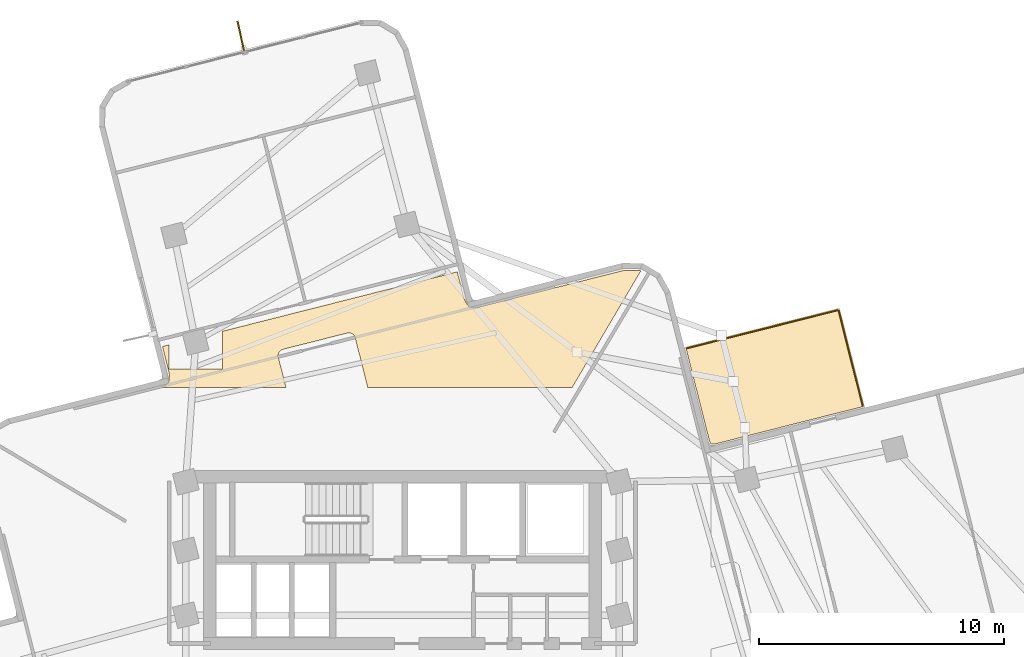
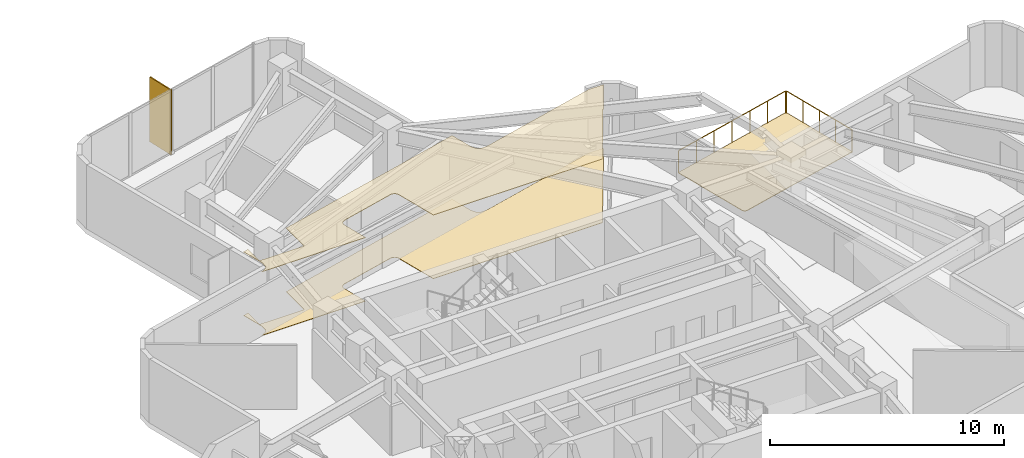
# One storey, part 11 of 11: 3 coverings, 2 railings, 1 shading device.
"""IFC4 building model written with IfcOpenShell, lengths in metres."""

from ifc_helpers import new_model, si_unit, direction, frame, origin, origin_2d, place, context, subcontext, project, spatial, polyline, rectangle, circle, outline, extrude, material, layer, layer_set, type_object, element, save


model = new_model("IFC4")

# Units and contexts
model_context = context("Model", 3, precision=1e-05, world=origin(), true_north=direction((0.0, 1.0)))
body_context = subcontext(model_context, "Body", "Model", "MODEL_VIEW")
ifc_project = project(units=[si_unit("LENGTHUNIT", "METRE"), si_unit("AREAUNIT", "SQUARE_METRE"), si_unit("VOLUMEUNIT", "CUBIC_METRE"), si_unit("PLANEANGLEUNIT", "RADIAN"), si_unit("MASSUNIT", "GRAM", prefix="KILO")], contexts=[model_context])

# Site, building, storey
site_placement = place(None, origin())
site = spatial("IfcSite", under=ifc_project, at=site_placement, CompositionType="ELEMENT")
building_placement = place(site_placement, origin())
building = spatial("IfcBuilding", under=site, at=building_placement, Name="Solmarez Civic Tower", CompositionType="ELEMENT")
storey_placement = place(building_placement, frame((0.0, 0.0, 127.080078125)))
storey = spatial("IfcBuildingStorey", under=building, at=storey_placement, Name="L33", CompositionType="ELEMENT", Elevation=127.080078125)

# Coverings
ifc_material_1 = material(Name="Perforated Mineral-Fibre Acoustic Ceiling")
ifc_layer_1 = layer(ifc_material_1, 0.02490234375)
ifc_layer_set_1 = layer_set([ifc_layer_1], Name="Perforated Mineral-Fibre Acoustic Ceiling")
covering_type_1 = type_object("IfcCoveringType", Name="COV-CEIL-ACOUSTIC", PredefinedType="CEILING", material=ifc_layer_set_1)
covering_1_placement = place(storey_placement, frame((0.0, 0.0, 3.31494140625)))
element("IfcCovering", 1, at=covering_1_placement, inside=storey, type_object=covering_type_1, Name="L33 Suspended Acoustic Ceiling 3", PredefinedType="CEILING", context=body_context, shape_type="SweptSolid", body=[
    extrude(outline(polyline([(-9.803955078125, 13.87890625), (-9.533935546875, 12.81201171875), (-9.530029296875, 12.79296875), (-9.527099609375, 12.77197265625), (-9.527099609375, 12.762939453125), (-9.52490234375, 12.7529296875), (-9.52490234375, 12.735107421875), (-9.528076171875, 12.56494140625), (-9.528076171875, 12.55908203125), (-9.530029296875, 12.531982421875), (-9.531005859375, 12.52392578125), (-9.532958984375, 12.507080078125), (-9.537109375, 12.490966796875), (-9.5390625, 12.48388671875), (-9.549072265625, 12.45703125), (-9.552001953125, 12.449951171875), (-9.554931640625, 12.443115234375), (-9.56396484375, 12.425048828125), (-9.573974609375, 12.407958984375), (-9.577880859375, 12.402099609375), (-9.58203125, 12.39599609375), (-9.5869140625, 12.388916015625), (-9.597900390625, 12.375), (-9.610107421875, 12.361083984375), (-9.614990234375, 12.35595703125), (-9.6201171875, 12.35107421875), (-9.635009765625, 12.337890625), (-9.64111328125, 12.3330078125), (-9.656982421875, 12.321044921875), (-9.673095703125, 12.31103515625), (-9.681884765625, 12.305908203125), (-9.83203125, 12.221923828125), (-9.841064453125, 12.217041015625), (-9.846923828125, 12.214111328125), (-9.85791015625, 12.208984375), (-9.864990234375, 12.2060546875), (-9.881103515625, 12.199951171875), (-4.758056640625, 12.199951171875), (-5.070068359375, 13.43701171875), (-5.072021484375, 13.443115234375), (-5.073974609375, 13.451904296875), (-5.077880859375, 13.47607421875), (-5.0791015625, 13.5), (-5.0791015625, 13.5048828125), (-5.077880859375, 13.527099609375), (-5.076904296875, 13.531982421875), (-5.076904296875, 13.5380859375), (-5.072998046875, 13.56103515625), (-5.06689453125, 13.5830078125), (-5.05908203125, 13.60400390625), (-5.055908203125, 13.611083984375), (-5.0458984375, 13.633056640625), (-5.033935546875, 13.653076171875), (-5.01904296875, 13.672119140625), (-5.012939453125, 13.678955078125), (-5.001953125, 13.69189453125), (-4.9951171875, 13.698974609375), (-4.970947265625, 13.718994140625), (-4.967041015625, 13.721923828125), (-4.946044921875, 13.736083984375), (-4.924072265625, 13.7470703125), (-4.9150390625, 13.7509765625), (-4.89306640625, 13.760009765625), (-4.875, 13.763916015625), (-2.258056640625, 14.426025390625), (-2.2470703125, 14.428955078125), (-2.241943359375, 14.429931640625), (-2.222900390625, 14.43310546875), (-2.214111328125, 14.43408203125), (-2.19091796875, 14.43505859375), (-2.16796875, 14.43408203125), (-2.157958984375, 14.43310546875), (-2.135009765625, 14.428955078125), (-2.112060546875, 14.423095703125), (-2.091064453125, 14.4150390625), (-2.083984375, 14.412109375), (-2.06201171875, 14.402099609375), (-2.0419921875, 14.389892578125), (-2.02294921875, 14.375), (-2.01708984375, 14.3701171875), (-2.007080078125, 14.362060546875), (-1.991943359375, 14.346923828125), (-1.97900390625, 14.3310546875), (-1.972900390625, 14.322998046875), (-1.958984375, 14.302001953125), (-1.947998046875, 14.280029296875), (-1.944091796875, 14.27099609375), (-1.93505859375, 14.2490234375), (-1.930908203125, 14.23095703125), (-1.4169921875, 12.199951171875), (6.927001953125, 12.199951171875), (9.735107421875, 16.968017578125), (9.72900390625, 16.971923828125), (9.02099609375, 16.98193359375), (3.1259765625, 15.489990234375), (3.10791015625, 15.486083984375), (3.10205078125, 15.485107421875), (3.096923828125, 15.48388671875), (3.090087890625, 15.48291015625), (3.05908203125, 15.48095703125), (3.049072265625, 15.48095703125), (2.876953125, 15.48291015625), (2.85302734375, 15.485107421875), (2.841064453125, 15.486083984375), (2.833984375, 15.487060546875), (2.81201171875, 15.491943359375), (2.803955078125, 15.493896484375), (2.787109375, 15.4990234375), (2.77001953125, 15.5048828125), (2.762939453125, 15.508056640625), (2.756103515625, 15.510986328125), (2.738037109375, 15.52001953125), (2.720947265625, 15.530029296875), (2.7041015625, 15.5400390625), (2.68896484375, 15.552001953125), (2.674072265625, 15.56494140625), (2.6689453125, 15.570068359375), (2.656005859375, 15.5849609375), (2.65087890625, 15.591064453125), (2.64599609375, 15.596923828125), (2.632080078125, 15.615966796875), (2.6279296875, 15.6220703125), (2.618896484375, 15.636962890625), (2.534912109375, 15.7880859375), (2.530029296875, 15.797119140625), (2.527099609375, 15.802978515625), (2.52392578125, 15.80908203125), (2.51611328125, 15.826904296875), (2.509033203125, 15.846923828125), (2.507080078125, 15.85400390625), (2.506103515625, 15.860107421875), (2.237060546875, 16.926025390625), (-7.344970703125, 14.5009765625), (-7.344970703125, 12.964111328125), (-9.544921875, 12.964111328125), (-9.544921875, 13.944091796875), (-9.803955078125, 13.87890625)])), origin(), (0.0, 0.0, 1.0), 0.02490234375),
])
ifc_material_2 = material(Name="Polished Tropical Stone Terrazzo Flooring", Category="masonry")
ifc_layer_2 = layer(ifc_material_2, 0.02001953125)
ifc_layer_set_2 = layer_set([ifc_layer_2], Name="Polished Tropical Stone Terrazzo Flooring")
covering_type_2 = type_object("IfcCoveringType", Name="COV-FLOOR-TERRAZZO", PredefinedType="FLOORING", material=ifc_layer_set_2)
covering_2_placement = place(storey_placement, origin())
element("IfcCovering", 2, at=covering_2_placement, inside=storey, type_object=covering_type_2, Name="L33 Terrazzo Floor Finish 3", PredefinedType="FLOORING", context=body_context, shape_type="SweptSolid", body=[
    extrude(outline(polyline([(-9.803955078125, 13.87890625), (-9.533935546875, 12.81201171875), (-9.530029296875, 12.79296875), (-9.527099609375, 12.77197265625), (-9.527099609375, 12.762939453125), (-9.52490234375, 12.7529296875), (-9.52490234375, 12.735107421875), (-9.528076171875, 12.56494140625), (-9.528076171875, 12.55908203125), (-9.530029296875, 12.531982421875), (-9.531005859375, 12.52392578125), (-9.532958984375, 12.507080078125), (-9.537109375, 12.490966796875), (-9.5390625, 12.48388671875), (-9.549072265625, 12.45703125), (-9.552001953125, 12.449951171875), (-9.554931640625, 12.443115234375), (-9.56396484375, 12.425048828125), (-9.573974609375, 12.407958984375), (-9.577880859375, 12.402099609375), (-9.58203125, 12.39599609375), (-9.5869140625, 12.388916015625), (-9.597900390625, 12.375), (-9.610107421875, 12.361083984375), (-9.614990234375, 12.35595703125), (-9.6201171875, 12.35107421875), (-9.635009765625, 12.337890625), (-9.64111328125, 12.3330078125), (-9.656982421875, 12.321044921875), (-9.673095703125, 12.31103515625), (-9.681884765625, 12.305908203125), (-9.83203125, 12.221923828125), (-9.841064453125, 12.217041015625), (-9.846923828125, 12.214111328125), (-9.85791015625, 12.208984375), (-9.864990234375, 12.2060546875), (-9.881103515625, 12.199951171875), (-4.758056640625, 12.199951171875), (-5.070068359375, 13.43701171875), (-5.072021484375, 13.443115234375), (-5.073974609375, 13.451904296875), (-5.077880859375, 13.47607421875), (-5.0791015625, 13.5), (-5.0791015625, 13.5048828125), (-5.077880859375, 13.527099609375), (-5.076904296875, 13.531982421875), (-5.076904296875, 13.5380859375), (-5.072998046875, 13.56103515625), (-5.06689453125, 13.5830078125), (-5.05908203125, 13.60400390625), (-5.055908203125, 13.611083984375), (-5.0458984375, 13.633056640625), (-5.033935546875, 13.653076171875), (-5.01904296875, 13.672119140625), (-5.012939453125, 13.678955078125), (-5.001953125, 13.69189453125), (-4.9951171875, 13.698974609375), (-4.970947265625, 13.718994140625), (-4.967041015625, 13.721923828125), (-4.946044921875, 13.736083984375), (-4.924072265625, 13.7470703125), (-4.9150390625, 13.7509765625), (-4.89306640625, 13.760009765625), (-4.875, 13.763916015625), (-2.258056640625, 14.426025390625), (-2.2470703125, 14.428955078125), (-2.241943359375, 14.429931640625), (-2.222900390625, 14.43310546875), (-2.214111328125, 14.43408203125), (-2.19091796875, 14.43505859375), (-2.16796875, 14.43408203125), (-2.157958984375, 14.43310546875), (-2.135009765625, 14.428955078125), (-2.112060546875, 14.423095703125), (-2.091064453125, 14.4150390625), (-2.083984375, 14.412109375), (-2.06201171875, 14.402099609375), (-2.0419921875, 14.389892578125), (-2.02294921875, 14.375), (-2.01708984375, 14.3701171875), (-2.007080078125, 14.362060546875), (-1.991943359375, 14.346923828125), (-1.97900390625, 14.3310546875), (-1.972900390625, 14.322998046875), (-1.958984375, 14.302001953125), (-1.947998046875, 14.280029296875), (-1.944091796875, 14.27099609375), (-1.93505859375, 14.2490234375), (-1.930908203125, 14.23095703125), (-1.4169921875, 12.199951171875), (6.927001953125, 12.199951171875), (9.735107421875, 16.968017578125), (9.72900390625, 16.971923828125), (9.02099609375, 16.98193359375), (3.1259765625, 15.489990234375), (3.10791015625, 15.486083984375), (3.10205078125, 15.485107421875), (3.096923828125, 15.48388671875), (3.090087890625, 15.48291015625), (3.05908203125, 15.48095703125), (3.049072265625, 15.48095703125), (2.876953125, 15.48291015625), (2.85302734375, 15.485107421875), (2.841064453125, 15.486083984375), (2.833984375, 15.487060546875), (2.81201171875, 15.491943359375), (2.803955078125, 15.493896484375), (2.787109375, 15.4990234375), (2.77001953125, 15.5048828125), (2.762939453125, 15.508056640625), (2.756103515625, 15.510986328125), (2.738037109375, 15.52001953125), (2.720947265625, 15.530029296875), (2.7041015625, 15.5400390625), (2.68896484375, 15.552001953125), (2.674072265625, 15.56494140625), (2.6689453125, 15.570068359375), (2.656005859375, 15.5849609375), (2.65087890625, 15.591064453125), (2.64599609375, 15.596923828125), (2.632080078125, 15.615966796875), (2.6279296875, 15.6220703125), (2.618896484375, 15.636962890625), (2.534912109375, 15.7880859375), (2.530029296875, 15.797119140625), (2.527099609375, 15.802978515625), (2.52392578125, 15.80908203125), (2.51611328125, 15.826904296875), (2.509033203125, 15.846923828125), (2.507080078125, 15.85400390625), (2.506103515625, 15.860107421875), (2.237060546875, 16.926025390625), (-7.344970703125, 14.5009765625), (-7.344970703125, 12.964111328125), (-9.544921875, 12.964111328125), (-9.544921875, 13.944091796875), (-9.803955078125, 13.87890625)])), origin(), (0.0, 0.0, 1.0), 0.02001953125),
])
ifc_material_3 = material(Name="Elastomeric Terrace Waterproofing Membrane")
ifc_layer_3 = layer(ifc_material_3, 0.030029296875)
ifc_layer_set_3 = layer_set([ifc_layer_3], Name="Elastomeric Terrace Waterproofing Membrane")
covering_type_3 = type_object("IfcCoveringType", Name="COV-MEMBRANE-ROOF", PredefinedType="ROOFING", material=ifc_layer_set_3)
covering_3_placement = place(storey_placement, origin())
element("IfcCovering", 3, at=covering_3_placement, inside=storey, type_object=covering_type_3, Name="L33 Balcony Waterproofing NE", PredefinedType="ROOFING", context=body_context, shape_type="SweptSolid", body=[
    extrude(outline(polyline([(12.5419921875, 10.0009765625), (12.60498046875, 9.888916015625), (12.73193359375, 9.886962890625), (18.81201171875, 11.425048828125), (17.81201171875, 15.37890625), (11.580078125, 13.802978515625), (12.5419921875, 10.0009765625)])), origin(), (0.0, 0.0, 1.0), 0.030029296875),
])

# Shading device
ifc_material_4 = material(Name="Bronze Anodised Aluminium EN AW-6063 T6", Category="aluminium")
ifc_layer_4 = layer(ifc_material_4, 0.06005859375)
ifc_layer_set_4 = layer_set([ifc_layer_4], Name="Bronze Anodised Aluminium EN AW-6063 T6")
shading_device_type = type_object("IfcShadingDeviceType", Name="FIN-BRONZE-Z34", PredefinedType="USERDEFINED", material=ifc_layer_set_4)
shading_device_placement = place(storey_placement, frame((-6.593994140625, 26.507080078125, -0.0400390625), z_axis=(0.0, 0.0, 1.0), x_axis=(-0.216405534647, 0.976303561693, 0.0)))
element("IfcShadingDevice", 4, at=shading_device_placement, inside=storey, type_object=shading_device_type, Name="L33 Anodised Bronze Solar Fin FIN-L33-04", ObjectType="FIN", PredefinedType="USERDEFINED", context=body_context, shape_type="SweptSolid", body=[
    extrude(rectangle(XDim=1.35009765625, YDim=0.06005859375, at=origin_2d()), origin(), (0.0, 0.0, 1.0), 3.3798828125),
])

# Railings
ifc_material_5 = material(Name="Bronze Anodised Aluminium and Laminated Safety Glass Balustrade", Category="aluminium")
railing_type = type_object("IfcRailingType", Name="GUARD-TERR-1180", PredefinedType="BALUSTRADE", material=ifc_material_5)
railing_1_placement = place(storey_placement, frame((18.802978515625, 11.458984375, 0.0)))
element("IfcRailing", 5, at=railing_1_placement, inside=storey, type_object=railing_type, Name="L33 Safety Balustrade GRD-BALC-L33-NE-1", PredefinedType="BALUSTRADE", context=body_context, shape_type="SweptSolid", body=[
    extrude(circle(Radius=0.02392578125, at=origin_2d()), frame((0.0, 0.0, 1.15576171875), z_axis=(-0.24498563911, 0.969526707538, 0.0), x_axis=(-0.969526707538, -0.24498563911, 0.0)), (0.0, 0.0, 1.0), 4.008056640625),
    extrude(circle(Radius=0.02099609375, at=origin_2d()), origin(), (0.0, 0.0, 1.0), 1.1318359375),
    extrude(circle(Radius=0.02099609375, at=origin_2d()), frame((-0.24560546875, 0.971435546875, 0.0)), (0.0, 0.0, 1.0), 1.1318359375),
    extrude(circle(Radius=0.02099609375, at=origin_2d()), frame((-0.490966796875, 1.94287109375, 0.0)), (0.0, 0.0, 1.0), 1.1318359375),
    extrude(circle(Radius=0.02099609375, at=origin_2d()), frame((-0.736328125, 2.91455078125, 0.0)), (0.0, 0.0, 1.0), 1.1318359375),
    extrude(circle(Radius=0.02099609375, at=origin_2d()), frame((-0.98193359375, 3.885986328125, 0.0)), (0.0, 0.0, 1.0), 1.1318359375),
])
railing_2_placement = place(storey_placement, frame((17.778076171875, 15.3701171875, 0.0)))
element("IfcRailing", 6, at=railing_2_placement, inside=storey, type_object=railing_type, Name="L33 Safety Balustrade GRD-BALC-L33-NE-2", PredefinedType="BALUSTRADE", context=body_context, shape_type="SweptSolid", body=[
    extrude(circle(Radius=0.02392578125, at=origin_2d()), frame((0.0, 0.0, 1.15576171875), z_axis=(-0.969506741759, -0.245064639809, 0.0), x_axis=(0.245064639809, -0.969506741759, 0.0)), (0.0, 0.0, 1.0), 6.35791015625),
    extrude(circle(Radius=0.02099609375, at=origin_2d()), origin(), (0.0, 0.0, 1.0), 1.1318359375),
    extrude(circle(Radius=0.02099609375, at=origin_2d()), frame((-1.02734375, -0.259765625, 0.0)), (0.0, 0.0, 1.0), 1.1318359375),
    extrude(circle(Radius=0.02099609375, at=origin_2d()), frame((-2.0546875, -0.519287109375, 0.0)), (0.0, 0.0, 1.0), 1.1318359375),
    extrude(circle(Radius=0.02099609375, at=origin_2d()), frame((-3.08203125, -0.779052734375, 0.0)), (0.0, 0.0, 1.0), 1.1318359375),
    extrude(circle(Radius=0.02099609375, at=origin_2d()), frame((-4.109375, -1.038818359375, 0.0)), (0.0, 0.0, 1.0), 1.1318359375),
    extrude(circle(Radius=0.02099609375, at=origin_2d()), frame((-5.13671875, -1.29833984375, 0.0)), (0.0, 0.0, 1.0), 1.1318359375),
    extrude(circle(Radius=0.02099609375, at=origin_2d()), frame((-6.1640625, -1.55810546875, 0.0)), (0.0, 0.0, 1.0), 1.1318359375),
])

save(model, "model.ifc")
